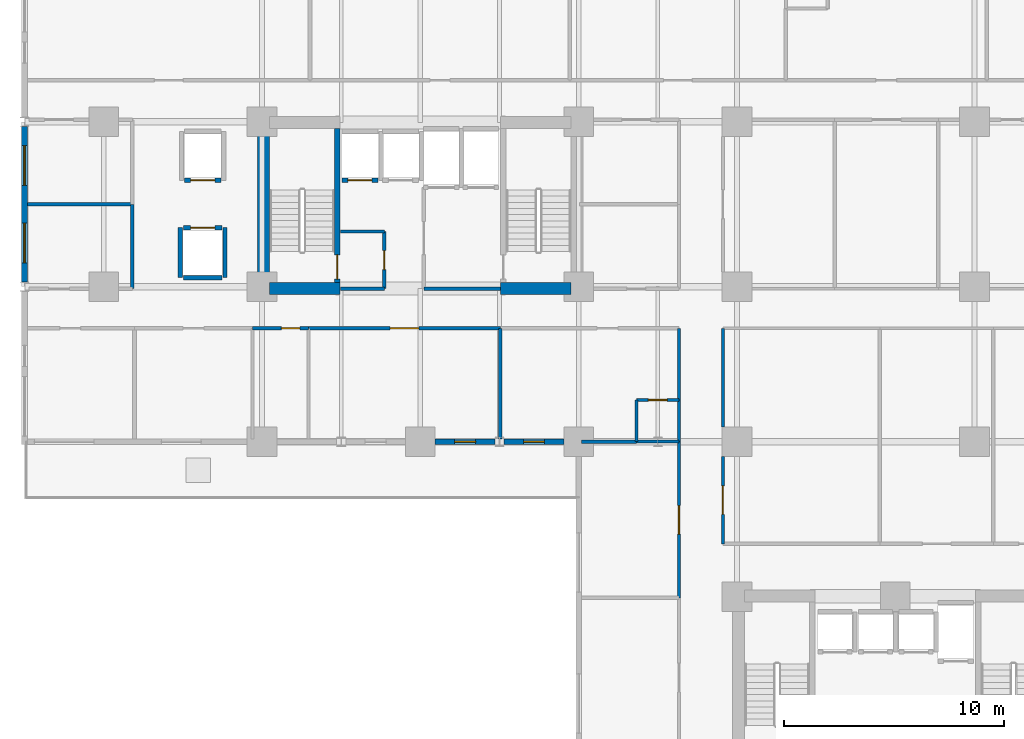
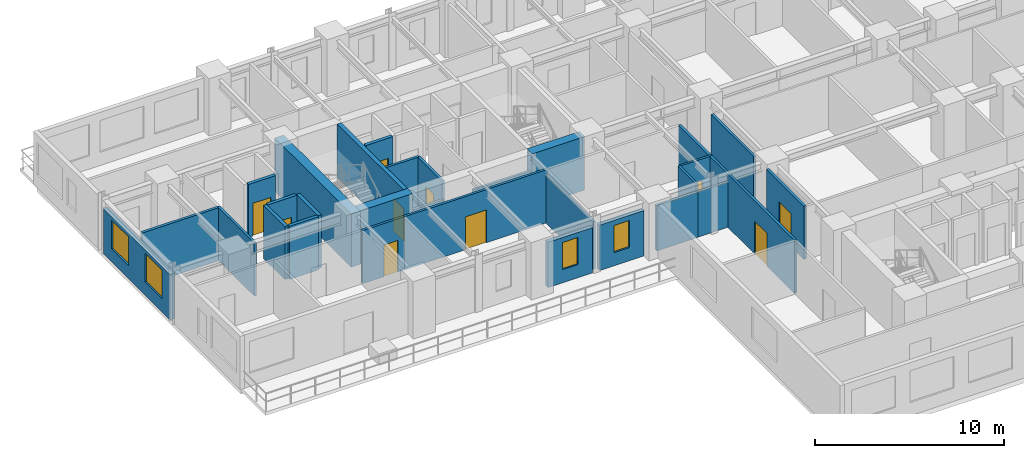
# One storey, part 3 of 11: 31 walls, 10 doors, 4 windows, 14 openings.
"""IFC4 building model written with IfcOpenShell, lengths in metres."""

from ifc_helpers import new_model, si_unit, direction, frame, frame_2d, origin, place, context, subcontext, project, spatial, rectangle, extrude, material, layer, layer_set, type_object, element, fill, save


model = new_model("IFC4")

# Units and contexts
model_context = context("Model", 3, precision=1e-05, world=origin(), true_north=direction((0.0, 1.0)))
body_context = subcontext(model_context, "Body", "Model", "MODEL_VIEW")
ifc_project = project(units=[si_unit("LENGTHUNIT", "METRE"), si_unit("AREAUNIT", "SQUARE_METRE"), si_unit("VOLUMEUNIT", "CUBIC_METRE"), si_unit("PLANEANGLEUNIT", "RADIAN"), si_unit("MASSUNIT", "GRAM", prefix="KILO")], contexts=[model_context])

# Site, building, storey
site_placement = place(None, origin())
site = spatial("IfcSite", under=ifc_project, at=site_placement, CompositionType="ELEMENT")
building_placement = place(site_placement, origin())
building = spatial("IfcBuilding", under=site, at=building_placement, Name="Kaliganga Portal Commons", CompositionType="ELEMENT")
storey_placement = place(building_placement, frame((0.0, 0.0, 25.300048828125)))
storey = spatial("IfcBuildingStorey", under=building, at=storey_placement, Name="L05", CompositionType="ELEMENT", Elevation=25.300048828125)

# Walls
ifc_material_1 = material(Name="Concrete C60/75", Category="concrete")
ifc_layer_1 = layer(ifc_material_1, 0.550048828125)
ifc_layer_set_1 = layer_set([ifc_layer_1], Name="Concrete C60/75")
wall_type_1 = type_object("IfcWallType", Name="WL-CORE-550", PredefinedType="SHEAR", material=ifc_layer_set_1)
wall_1_placement = place(storey_placement, frame((14.47509765625, 28.300048828125, 0.0), z_axis=(0.0, 0.0, 1.0), x_axis=(0.0, 1.0, 0.0)))
element("IfcWall", 1, at=wall_1_placement, inside=storey, type_object=wall_type_1, Name="Core A West Shear Wall L05", PredefinedType="SHEAR", context=body_context, shape_type="SweptSolid", body=[
    extrude(rectangle(XDim=8.099853515625, YDim=0.550048828125, at=frame_2d((4.0498046875, 0.0))), origin(), (0.0, 0.0, 1.0), 3.449951171875),
])
for number, where, z_axis, x_axis, name in (
    (2, (14.75, 28.574951171875, 0.0), (0.0, 0.0, 1.0), (1.0, 0.0, 0.0), "Core A S-West Shear Wall L05"),
    (3, (25.25, 28.574951171875, 0.0), (0.0, 0.0, 1.0), (1.0, 0.0, 0.0), "Core A S-East Shear Wall L05"),
):
    element("IfcWall", number, at=place(storey_placement, frame(where, z_axis=z_axis, x_axis=x_axis)), inside=storey, type_object=wall_type_1, Name=name, PredefinedType="SHEAR", context=body_context, shape_type="SweptSolid", body=[
        extrude(rectangle(XDim=3.199951171875, YDim=0.550048828125, at=frame_2d((1.60009765625, 0.0))), origin(), (0.0, 0.0, 1.0), 3.449951171875),
    ])

# Wall, openings, windows
ifc_material_2 = material(Name="Insulated Aluminium-Clad Spandrel Assembly", Category="aluminium")
ifc_layer_2 = layer(ifc_material_2, 0.260009765625)
ifc_layer_set_2 = layer_set([ifc_layer_2], Name="Insulated Aluminium-Clad Spandrel Assembly")
wall_type_2 = type_object("IfcWallType", Name="WL-EXT-SPAND-260", PredefinedType="STANDARD", material=ifc_layer_set_2)
wall_2_placement = place(storey_placement, frame((3.60009765625, 28.8740234375, 0.0), z_axis=(0.0, 0.0, 1.0), x_axis=(0.0, 1.0, 0.0)))
wall_2 = element("IfcWall", 4, at=wall_2_placement, inside=storey, type_object=wall_type_2, Name="Exterior Envelope Wall L05 P1-E03-S2", PredefinedType="STANDARD", context=body_context, shape_type="SweptSolid", body=[
    extrude(rectangle(XDim=7.052001953125, YDim=0.260009765625, at=frame_2d((3.52587890625, 0.0))), origin(), (0.0, 0.0, 1.0), 2.929931640625),
])
opening_1_placement = place(wall_2_placement, frame((0.863037109375, 0.0, 0.85009765625)))
opening_1 = element("IfcOpeningElement", 5, at=opening_1_placement, cuts=wall_2, Name="Opening W-01", PredefinedType="OPENING", context=body_context, shape_type="SweptSolid", body=[
    extrude(rectangle(XDim=1.800048828125, YDim=1.85009765625, at=frame_2d((0.89990234375, 0.925048828125))), frame((0.0, 0.14013671875, 0.0), z_axis=(0.0, -1.0, 0.0), x_axis=(1.0, 0.0, 0.0)), (0.0, 0.0, 1.0), 0.280029296875),
])
opening_2_placement = place(wall_2_placement, frame((4.388916015625, 0.0, 0.85009765625)))
opening_2 = element("IfcOpeningElement", 6, at=opening_2_placement, cuts=wall_2, Name="Opening W-01", PredefinedType="OPENING", context=body_context, shape_type="SweptSolid", body=[
    extrude(rectangle(XDim=1.800048828125, YDim=1.85009765625, at=frame_2d((0.89990234375, 0.925048828125))), frame((0.0, 0.14013671875, 0.0), z_axis=(0.0, -1.0, 0.0), x_axis=(1.0, 0.0, 0.0)), (0.0, 0.0, 1.0), 0.280029296875),
])
ifc_material_3 = material(Name="Thermally Broken Aluminium and Low-E Double Glazing", Category="aluminium")
window_type_1 = type_object("IfcWindowType", Name="WIN-STD-1800", PartitioningType="DOUBLE_PANEL_VERTICAL", PredefinedType="WINDOW", material=ifc_material_3)
window_1_placement = place(opening_1_placement, origin())
window_1 = element("IfcWindow", 7, at=window_1_placement, inside=storey, type_object=window_type_1, Name="Facade Window L05-P1E03S2-00", OverallHeight=1.85009765625, OverallWidth=1.800048828125, PartitioningType="SINGLE_PANEL", PredefinedType="WINDOW", context=body_context, shape_type="SweptSolid", body=[
    extrude(rectangle(XDim=1.800048828125, YDim=1.85009765625, at=frame_2d((0.89990234375, 0.925048828125))), frame((0.0, 0.030029296875, 0.0), z_axis=(0.0, -1.0, 0.0), x_axis=(1.0, 0.0, 0.0)), (0.0, 0.0, 1.0), 0.06005859375),
])
fill(opening_1, window_1)
window_2_placement = place(opening_2_placement, origin())
window_2 = element("IfcWindow", 8, at=window_2_placement, inside=storey, type_object=window_type_1, Name="Facade Window L05-P1E03S2-01", OverallHeight=1.85009765625, OverallWidth=1.800048828125, PartitioningType="SINGLE_PANEL", PredefinedType="WINDOW", context=body_context, shape_type="SweptSolid", body=[
    extrude(rectangle(XDim=1.800048828125, YDim=1.85009765625, at=frame_2d((0.89990234375, 0.925048828125))), frame((0.0, 0.030029296875, 0.0), z_axis=(0.0, -1.0, 0.0), x_axis=(1.0, 0.0, 0.0)), (0.0, 0.0, 1.0), 0.06005859375),
])
fill(opening_2, window_2)

# Wall, opening, window
wall_3_placement = place(storey_placement, frame((24.990966796875, 21.60009765625, 0.0), z_axis=(0.0, 0.0, 1.0), x_axis=(-1.0, 0.0, 0.0)))
wall_3 = element("IfcWall", 9, at=wall_3_placement, inside=storey, type_object=wall_type_2, Name="Exterior Envelope Wall L05 P1-E04-S4", PredefinedType="STANDARD", context=body_context, shape_type="SweptSolid", body=[
    extrude(rectangle(XDim=2.715087890625, YDim=0.260009765625, at=frame_2d((1.357421875, 0.0))), origin(), (0.0, 0.0, 1.0), 2.929931640625),
])
opening_3_placement = place(wall_3_placement, frame((0.882568359375, 0.0, 0.85009765625)))
opening_3 = element("IfcOpeningElement", 10, at=opening_3_placement, cuts=wall_3, Name="Opening W-04", PredefinedType="OPENING", context=body_context, shape_type="SweptSolid", body=[
    extrude(rectangle(XDim=0.949951171875, YDim=1.75, at=frame_2d((0.47509765625, 0.875))), frame((0.0, 0.14013671875, 0.0), z_axis=(0.0, -1.0, 0.0), x_axis=(1.0, 0.0, 0.0)), (0.0, 0.0, 1.0), 0.280029296875),
])
window_type_2 = type_object("IfcWindowType", Name="WIN-NARROW-950", PartitioningType="SINGLE_PANEL", PredefinedType="WINDOW", material=ifc_material_3)
window_3_placement = place(opening_3_placement, origin())
window_3 = element("IfcWindow", 11, at=window_3_placement, inside=storey, type_object=window_type_2, Name="Facade Window L05-P1E04S4-00", OverallHeight=1.75, OverallWidth=0.949951171875, PartitioningType="SINGLE_PANEL", PredefinedType="WINDOW", context=body_context, shape_type="SweptSolid", body=[
    extrude(rectangle(XDim=0.949951171875, YDim=1.75, at=frame_2d((0.47509765625, 0.875))), frame((0.0, 0.030029296875, 0.0), z_axis=(0.0, -1.0, 0.0), x_axis=(1.0, 0.0, 0.0)), (0.0, 0.0, 1.0), 0.06005859375),
])
fill(opening_3, window_3)

wall_4_placement = place(storey_placement, frame((28.1240234375, 21.60009765625, 0.0), z_axis=(0.0, 0.0, 1.0), x_axis=(-1.0, 0.0, 0.0)))
wall_4 = element("IfcWall", 12, at=wall_4_placement, inside=storey, type_object=wall_type_2, Name="Exterior Envelope Wall L05 P1-E04-S5", PredefinedType="STANDARD", context=body_context, shape_type="SweptSolid", body=[
    extrude(rectangle(XDim=2.715087890625, YDim=0.260009765625, at=frame_2d((1.357421875, 0.0))), origin(), (0.0, 0.0, 1.0), 2.929931640625),
])
opening_4_placement = place(wall_4_placement, frame((0.882568359375, 0.0, 0.85009765625)))
opening_4 = element("IfcOpeningElement", 13, at=opening_4_placement, cuts=wall_4, Name="Opening W-04", PredefinedType="OPENING", context=body_context, shape_type="SweptSolid", body=[
    extrude(rectangle(XDim=0.949951171875, YDim=1.75, at=frame_2d((0.47509765625, 0.875))), frame((0.0, 0.14013671875, 0.0), z_axis=(0.0, -1.0, 0.0), x_axis=(1.0, 0.0, 0.0)), (0.0, 0.0, 1.0), 0.280029296875),
])
window_4_placement = place(opening_4_placement, origin())
window_4 = element("IfcWindow", 14, at=window_4_placement, inside=storey, type_object=window_type_2, Name="Facade Window L05-P1E04S5-00", OverallHeight=1.75, OverallWidth=0.949951171875, PartitioningType="SINGLE_PANEL", PredefinedType="WINDOW", context=body_context, shape_type="SweptSolid", body=[
    extrude(rectangle(XDim=0.949951171875, YDim=1.75, at=frame_2d((0.47509765625, 0.875))), frame((0.0, 0.030029296875, 0.0), z_axis=(0.0, -1.0, 0.0), x_axis=(1.0, 0.0, 0.0)), (0.0, 0.0, 1.0), 0.06005859375),
])
fill(opening_4, window_4)

# Wall
ifc_material_4 = material(Name="Fire-Rated Gypsum Board on Steel Stud", Category="steel")
ifc_layer_3 = layer(ifc_material_4, 0.14990234375)
ifc_layer_set_3 = layer_set([ifc_layer_3], Name="Fire-Rated Gypsum Board on Steel Stud")
wall_type_3 = type_object("IfcWallType", Name="WL-PART-CORR-150", PredefinedType="PARTITIONING", material=ifc_layer_set_3)
wall_5_placement = place(storey_placement, frame((33.360107421875, 21.60009765625, 0.0), z_axis=(0.0, 0.0, 1.0), x_axis=(0.0, 1.0, 0.0)))
element("IfcWall", 15, at=wall_5_placement, inside=storey, type_object=wall_type_3, Name="Interior Partition L05-007", PredefinedType="PARTITIONING", context=body_context, shape_type="SweptSolid", body=[
    extrude(rectangle(XDim=1.89990234375, YDim=0.14990234375, at=frame_2d((0.949951171875, 0.0))), origin(), (0.0, 0.0, 1.0), 3.429931640625),
])

# Wall, opening, door
wall_6_placement = place(storey_placement, frame((35.360107421875, 16.9599609375, 0.0), z_axis=(0.0, 0.0, 1.0), x_axis=(0.0, 1.0, 0.0)))
wall_6 = element("IfcWall", 16, at=wall_6_placement, inside=storey, type_object=wall_type_3, Name="Interior Partition L05-012", PredefinedType="PARTITIONING", context=body_context, shape_type="SweptSolid", body=[
    extrude(rectangle(XDim=3.965087890625, YDim=0.14990234375, at=frame_2d((1.982421875, 0.0))), origin(), (0.0, 0.0, 1.0), 3.429931640625),
])
opening_5_placement = place(wall_6_placement, frame((1.33251953125, 0.0, 0.0)))
opening_5 = element("IfcOpeningElement", 17, at=opening_5_placement, cuts=wall_6, Name="Opening RD-03", PredefinedType="OPENING", context=body_context, shape_type="SweptSolid", body=[
    extrude(rectangle(XDim=1.300048828125, YDim=2.1201171875, at=frame_2d((0.64990234375, 1.06005859375))), frame((0.0, 0.0849609375, 0.0), z_axis=(0.0, -1.0, 0.0), x_axis=(1.0, 0.0, 0.0)), (0.0, 0.0, 1.0), 0.169921875),
])
ifc_material_5 = material(Name="Glazed Timber Seminar Vision Door", Category="wood")
door_type_1 = type_object("IfcDoorType", Name="DR-STUDY-1300", OperationType="DOUBLE_DOOR_SINGLE_SWING", PredefinedType="DOOR", material=ifc_material_5)
door_1_placement = place(opening_5_placement, origin())
door_1 = element("IfcDoor", 18, at=door_1_placement, inside=storey, type_object=door_type_1, Name="Interior Door L05-BM01", OperationType="DOUBLE_DOOR_SINGLE_SWING", OverallHeight=2.1201171875, OverallWidth=1.300048828125, PredefinedType="DOOR", context=body_context, shape_type="SweptSolid", body=[
    extrude(rectangle(XDim=1.300048828125, YDim=2.1201171875, at=frame_2d((0.64990234375, 1.06005859375))), frame((0.0, 0.02490234375, 0.0), z_axis=(0.0, -1.0, 0.0), x_axis=(1.0, 0.0, 0.0)), (0.0, 0.0, 1.0), 0.050048828125),
])
fill(opening_5, door_1)

# Wall
wall_7_placement = place(storey_placement, frame((35.360107421875, 22.27490234375, 0.0), z_axis=(0.0, 0.0, 1.0), x_axis=(0.0, 1.0, 0.0)))
element("IfcWall", 19, at=wall_7_placement, inside=storey, type_object=wall_type_3, Name="Interior Partition L05-013", PredefinedType="PARTITIONING", context=body_context, shape_type="SweptSolid", body=[
    extrude(rectangle(XDim=4.485107421875, YDim=0.14990234375, at=frame_2d((2.24267578125, 0.0))), origin(), (0.0, 0.0, 1.0), 3.429931640625),
])

# Wall, opening, door
wall_8_placement = place(storey_placement, frame((16.52001953125, 26.760009765625, 0.0), z_axis=(0.0, 0.0, 1.0), x_axis=(1.0, 0.0, 0.0)))
wall_8 = element("IfcWall", 20, at=wall_8_placement, inside=storey, type_object=wall_type_3, Name="Interior Partition L05-016", PredefinedType="PARTITIONING", context=body_context, shape_type="SweptSolid", body=[
    extrude(rectangle(XDim=8.719970703125, YDim=0.14990234375, at=frame_2d((4.35986328125, 0.0))), origin(), (0.0, 0.0, 1.0), 3.429931640625),
])
opening_6_placement = place(wall_8_placement, frame((3.7099609375, 0.0, 0.0)))
opening_6 = element("IfcOpeningElement", 21, at=opening_6_placement, cuts=wall_8, Name="Opening RD-03", PredefinedType="OPENING", context=body_context, shape_type="SweptSolid", body=[
    extrude(rectangle(XDim=1.300048828125, YDim=2.1201171875, at=frame_2d((0.64990234375, 1.06005859375))), frame((0.0, 0.0849609375, 0.0), z_axis=(0.0, -1.0, 0.0), x_axis=(1.0, 0.0, 0.0)), (0.0, 0.0, 1.0), 0.169921875),
])
door_2_placement = place(opening_6_placement, origin())
door_2 = element("IfcDoor", 22, at=door_2_placement, inside=storey, type_object=door_type_1, Name="Interior Door L05-AS04", OperationType="DOUBLE_DOOR_SINGLE_SWING", OverallHeight=2.1201171875, OverallWidth=1.300048828125, PredefinedType="DOOR", context=body_context, shape_type="SweptSolid", body=[
    extrude(rectangle(XDim=1.300048828125, YDim=2.1201171875, at=frame_2d((0.64990234375, 1.06005859375))), frame((0.0, 0.02490234375, 0.0), z_axis=(0.0, -1.0, 0.0), x_axis=(1.0, 0.0, 0.0)), (0.0, 0.0, 1.0), 0.050048828125),
])
fill(opening_6, door_2)

wall_9_placement = place(storey_placement, frame((33.360107421875, 14.5, 0.0), z_axis=(0.0, 0.0, 1.0), x_axis=(0.0, 1.0, 0.0)))
wall_9 = element("IfcWall", 23, at=wall_9_placement, inside=storey, type_object=wall_type_3, Name="Interior Partition L05-024", PredefinedType="PARTITIONING", context=body_context, shape_type="SweptSolid", body=[
    extrude(rectangle(XDim=7.10009765625, YDim=0.14990234375, at=frame_2d((3.550048828125, 0.0))), origin(), (0.0, 0.0, 1.0), 3.429931640625),
])
opening_7_placement = place(wall_9_placement, frame((2.89990234375, 0.0, 0.0)))
opening_7 = element("IfcOpeningElement", 24, at=opening_7_placement, cuts=wall_9, Name="Opening RD-03", PredefinedType="OPENING", context=body_context, shape_type="SweptSolid", body=[
    extrude(rectangle(XDim=1.300048828125, YDim=2.1201171875, at=frame_2d((0.64990234375, 1.06005859375))), frame((0.0, 0.0849609375, 0.0), z_axis=(0.0, -1.0, 0.0), x_axis=(1.0, 0.0, 0.0)), (0.0, 0.0, 1.0), 0.169921875),
])
door_3_placement = place(opening_7_placement, origin())
door_3 = element("IfcDoor", 25, at=door_3_placement, inside=storey, type_object=door_type_1, Name="Interior Door L05-KW02", OperationType="DOUBLE_DOOR_SINGLE_SWING", OverallHeight=2.1201171875, OverallWidth=1.300048828125, PredefinedType="DOOR", context=body_context, shape_type="SweptSolid", body=[
    extrude(rectangle(XDim=1.300048828125, YDim=2.1201171875, at=frame_2d((0.64990234375, 1.06005859375))), frame((0.0, 0.02490234375, 0.0), z_axis=(0.0, -1.0, 0.0), x_axis=(1.0, 0.0, 0.0)), (0.0, 0.0, 1.0), 0.050048828125),
])
fill(opening_7, door_3)

# Walls
wall_10_placement = place(storey_placement, frame((8.5, 28.56005859375, 0.0), z_axis=(0.0, 0.0, 1.0), x_axis=(0.0, 1.0, 0.0)))
element("IfcWall", 26, at=wall_10_placement, inside=storey, type_object=wall_type_3, Name="Interior Partition L05-047", PredefinedType="PARTITIONING", context=body_context, shape_type="SweptSolid", body=[
    extrude(rectangle(XDim=3.83984375, YDim=0.14990234375, at=frame_2d((1.919921875, 0.0))), origin(), (0.0, 0.0, 1.0), 3.429931640625),
])
wall_11_placement = place(storey_placement, frame((33.360107421875, 23.5, 0.0), z_axis=(0.0, 0.0, 1.0), x_axis=(0.0, 1.0, 0.0)))
element("IfcWall", 27, at=wall_11_placement, inside=storey, type_object=wall_type_3, Name="Interior Partition L05-050", PredefinedType="PARTITIONING", context=body_context, shape_type="SweptSolid", body=[
    extrude(rectangle(XDim=3.260009765625, YDim=0.14990234375, at=frame_2d((1.6298828125, 0.0))), origin(), (0.0, 0.0, 1.0), 3.429931640625),
])

# Wall, opening, door
wall_12_placement = place(storey_placement, frame((19.9599609375, 28.56005859375, 0.0), z_axis=(0.0, 0.0, 1.0), x_axis=(0.0, 1.0, 0.0)))
wall_12 = element("IfcWall", 28, at=wall_12_placement, inside=storey, type_object=wall_type_3, Name="Interior Partition L05-051", PredefinedType="PARTITIONING", context=body_context, shape_type="SweptSolid", body=[
    extrude(rectangle(XDim=2.599853515625, YDim=0.14990234375, at=frame_2d((1.2998046875, 0.0))), origin(), (0.0, 0.0, 1.0), 3.429931640625),
])
opening_8_placement = place(wall_12_placement, frame((0.8701171875, 0.0, 0.0)))
opening_8 = element("IfcOpeningElement", 29, at=opening_8_placement, cuts=wall_12, Name="Opening WD-02", PredefinedType="OPENING", context=body_context, shape_type="SweptSolid", body=[
    extrude(rectangle(XDim=0.860107421875, YDim=2.02001953125, at=frame_2d((0.43017578125, 1.010009765625))), frame((0.0, 0.0849609375, 0.0), z_axis=(0.0, -1.0, 0.0), x_axis=(1.0, 0.0, 0.0)), (0.0, 0.0, 1.0), 0.169921875),
])
ifc_material_6 = material(Name="Fire-Rated Utility Closet Door", Category="wood")
door_type_2 = type_object("IfcDoorType", Name="DR-STORE-800", OperationType="NOTDEFINED", PredefinedType="DOOR", material=ifc_material_6)
door_4_placement = place(opening_8_placement, origin())
door_4 = element("IfcDoor", 30, at=door_4_placement, inside=storey, type_object=door_type_2, Name="Interior Door L05-CIN_A1", OperationType="SINGLE_SWING_LEFT", OverallHeight=2.02001953125, OverallWidth=0.860107421875, PredefinedType="DOOR", context=body_context, shape_type="SweptSolid", body=[
    extrude(rectangle(XDim=0.860107421875, YDim=2.02001953125, at=frame_2d((0.43017578125, 1.010009765625))), frame((0.0, 0.02490234375, 0.0), z_axis=(0.0, -1.0, 0.0), x_axis=(1.0, 0.0, 0.0)), (0.0, 0.0, 1.0), 0.050048828125),
])
fill(opening_8, door_4)

wall_13_placement = place(storey_placement, frame((13.9599609375, 26.760009765625, 0.0), z_axis=(0.0, 0.0, 1.0), x_axis=(1.0, 0.0, 0.0)))
wall_13 = element("IfcWall", 31, at=wall_13_placement, inside=storey, type_object=wall_type_3, Name="Interior Partition L05-052", PredefinedType="PARTITIONING", context=body_context, shape_type="SweptSolid", body=[
    extrude(rectangle(XDim=2.56005859375, YDim=0.14990234375, at=frame_2d((1.280029296875, 0.0))), origin(), (0.0, 0.0, 1.0), 3.429931640625),
])
opening_9_placement = place(wall_13_placement, frame((1.31591796875, 0.0, 0.0)))
opening_9 = element("IfcOpeningElement", 32, at=opening_9_placement, cuts=wall_13, Name="Opening WD-01", PredefinedType="OPENING", context=body_context, shape_type="SweptSolid", body=[
    extrude(rectangle(XDim=0.85009765625, YDim=2.0400390625, at=frame_2d((0.425048828125, 1.02001953125))), frame((0.0, 0.0849609375, 0.0), z_axis=(0.0, -1.0, 0.0), x_axis=(1.0, 0.0, 0.0)), (0.0, 0.0, 1.0), 0.169921875),
])
ifc_material_7 = material(Name="Moisture-Resistant Laminate Timber Door", Category="wood")
door_type_3 = type_object("IfcDoorType", Name="DR-WET-850", OperationType="NOTDEFINED", PredefinedType="DOOR", material=ifc_material_7)
door_5_placement = place(opening_9_placement, origin())
door_5 = element("IfcDoor", 33, at=door_5_placement, inside=storey, type_object=door_type_3, Name="Interior Door L05-AS03", OperationType="SINGLE_SWING_RIGHT", OverallHeight=2.0400390625, OverallWidth=0.85009765625, PredefinedType="DOOR", context=body_context, shape_type="SweptSolid", body=[
    extrude(rectangle(XDim=0.85009765625, YDim=2.0400390625, at=frame_2d((0.425048828125, 1.02001953125))), frame((0.0, 0.02490234375, 0.0), z_axis=(0.0, -1.0, 0.0), x_axis=(1.0, 0.0, 0.0)), (0.0, 0.0, 1.0), 0.050048828125),
])
fill(opening_9, door_5)

# Walls
wall_14_placement = place(storey_placement, frame((17.9599609375, 28.56005859375, 0.0), z_axis=(0.0, 0.0, 1.0), x_axis=(1.0, 0.0, 0.0)))
element("IfcWall", 34, at=wall_14_placement, inside=storey, type_object=wall_type_3, Name="Interior Partition L05-054", PredefinedType="PARTITIONING", context=body_context, shape_type="SweptSolid", body=[
    extrude(rectangle(XDim=2.0, YDim=0.14990234375, at=frame_2d((1.0, 0.0))), origin(), (0.0, 0.0, 1.0), 2.22998046875),
])
wall_15_placement = place(storey_placement, frame((17.9599609375, 31.159912109375, 0.0), z_axis=(0.0, 0.0, 1.0), x_axis=(1.0, 0.0, 0.0)))
element("IfcWall", 35, at=wall_15_placement, inside=storey, type_object=wall_type_3, Name="Interior Partition L05-055", PredefinedType="PARTITIONING", context=body_context, shape_type="SweptSolid", body=[
    extrude(rectangle(XDim=2.0, YDim=0.14990234375, at=frame_2d((1.0, 0.0))), origin(), (0.0, 0.0, 1.0), 3.429931640625),
])
wall_16_placement = place(storey_placement, frame((21.760009765625, 28.56005859375, 0.0), z_axis=(0.0, 0.0, 1.0), x_axis=(1.0, 0.0, 0.0)))
element("IfcWall", 36, at=wall_16_placement, inside=storey, type_object=wall_type_3, Name="Interior Partition L05-086", PredefinedType="PARTITIONING", context=body_context, shape_type="SweptSolid", body=[
    extrude(rectangle(XDim=3.47998046875, YDim=0.14990234375, at=frame_2d((1.739990234375, 0.0))), origin(), (0.0, 0.0, 1.0), 2.22998046875),
])
ifc_material_8 = material(Name="Twin-Stud Acoustic Gypsum Partition", Category="gypsum")
ifc_layer_4 = layer(ifc_material_8, 0.1650390625)
ifc_layer_set_4 = layer_set([ifc_layer_4], Name="Twin-Stud Acoustic Gypsum Partition")
wall_type_4 = type_object("IfcWallType", Name="WL-PART-UNIT-165", PredefinedType="PARTITIONING", material=ifc_layer_set_4)
wall_17_placement = place(storey_placement, frame((25.239990234375, 21.73193359375, 0.0), z_axis=(0.0, 0.0, 1.0), x_axis=(0.0, 1.0, 0.0)))
element("IfcWall", 37, at=wall_17_placement, inside=storey, type_object=wall_type_4, Name="Interior Partition L05-074", PredefinedType="PARTITIONING", context=body_context, shape_type="SweptSolid", body=[
    extrude(rectangle(XDim=5.028076171875, YDim=0.1650390625, at=frame_2d((2.51416015625, 0.0))), origin(), (0.0, 0.0, 1.0), 3.070068359375),
])
wall_18_placement = place(storey_placement, frame((3.73193359375, 32.39990234375, 0.0), z_axis=(0.0, 0.0, 1.0), x_axis=(1.0, 0.0, 0.0)))
element("IfcWall", 38, at=wall_18_placement, inside=storey, type_object=wall_type_4, Name="Interior Partition L05-077", PredefinedType="PARTITIONING", context=body_context, shape_type="SweptSolid", body=[
    extrude(rectangle(XDim=4.76806640625, YDim=0.1650390625, at=frame_2d((2.384033203125, 0.0))), origin(), (0.0, 0.0, 1.0), 3.429931640625),
])
wall_19_placement = place(storey_placement, frame((28.931884765625, 21.60009765625, 0.0), z_axis=(0.0, 0.0, 1.0), x_axis=(1.0, 0.0, 0.0)))
element("IfcWall", 39, at=wall_19_placement, inside=storey, type_object=wall_type_4, Name="Interior Partition L05-090", PredefinedType="PARTITIONING", context=body_context, shape_type="SweptSolid", body=[
    extrude(rectangle(XDim=2.508056640625, YDim=0.1650390625, at=frame_2d((1.25390625, 0.0))), origin(), (0.0, 0.0, 1.0), 2.929931640625),
])
ifc_material_9 = material(Name="Cement-Board Wet-Room Partition", Category="gypsum")
ifc_layer_5 = layer(ifc_material_9, 0.135009765625)
ifc_layer_set_5 = layer_set([ifc_layer_5], Name="Cement-Board Wet-Room Partition")
wall_type_5 = type_object("IfcWallType", Name="WL-PART-WET-135", PredefinedType="PARTITIONING", material=ifc_layer_set_5)
wall_20_placement = place(storey_placement, frame((31.43994140625, 21.60009765625, 0.0), z_axis=(0.0, 0.0, 1.0), x_axis=(1.0, 0.0, 0.0)))
element("IfcWall", 40, at=wall_20_placement, inside=storey, type_object=wall_type_5, Name="Interior Partition L05-001", PredefinedType="PARTITIONING", context=body_context, shape_type="SweptSolid", body=[
    extrude(rectangle(XDim=1.920166015625, YDim=0.135009765625, at=frame_2d((0.9599609375, 0.0))), origin(), (0.0, 0.0, 1.0), 2.929931640625),
])

# Wall, opening, door
wall_21_placement = place(storey_placement, frame((31.43994140625, 23.5, 0.0), z_axis=(0.0, 0.0, 1.0), x_axis=(1.0, 0.0, 0.0)))
wall_21 = element("IfcWall", 41, at=wall_21_placement, inside=storey, type_object=wall_type_5, Name="Interior Partition L05-002", PredefinedType="PARTITIONING", context=body_context, shape_type="SweptSolid", body=[
    extrude(rectangle(XDim=1.920166015625, YDim=0.135009765625, at=frame_2d((0.9599609375, 0.0))), origin(), (0.0, 0.0, 1.0), 3.429931640625),
])
opening_10_placement = place(wall_21_placement, frame((0.534912109375, 0.0, 0.0)))
opening_10 = element("IfcOpeningElement", 42, at=opening_10_placement, cuts=wall_21, Name="Opening WD-01", PredefinedType="OPENING", context=body_context, shape_type="SweptSolid", body=[
    extrude(rectangle(XDim=0.85009765625, YDim=2.0400390625, at=frame_2d((0.425048828125, 1.02001953125))), frame((0.0, 0.07763671875, 0.0), z_axis=(0.0, -1.0, 0.0), x_axis=(1.0, 0.0, 0.0)), (0.0, 0.0, 1.0), 0.155029296875),
])
door_6_placement = place(opening_10_placement, origin())
door_6 = element("IfcDoor", 43, at=door_6_placement, inside=storey, type_object=door_type_3, Name="Interior Door L05-AS05E", OperationType="SINGLE_SWING_LEFT", OverallHeight=2.0400390625, OverallWidth=0.85009765625, PredefinedType="DOOR", context=body_context, shape_type="SweptSolid", body=[
    extrude(rectangle(XDim=0.85009765625, YDim=2.0400390625, at=frame_2d((0.425048828125, 1.02001953125))), frame((0.0, 0.02490234375, 0.0), z_axis=(0.0, -1.0, 0.0), x_axis=(1.0, 0.0, 0.0)), (0.0, 0.0, 1.0), 0.050048828125),
])
fill(opening_10, door_6)

# Wall
wall_22_placement = place(storey_placement, frame((31.43994140625, 21.60009765625, 0.0), z_axis=(0.0, 0.0, 1.0), x_axis=(0.0, 1.0, 0.0)))
element("IfcWall", 44, at=wall_22_placement, inside=storey, type_object=wall_type_5, Name="Interior Partition L05-006", PredefinedType="PARTITIONING", context=body_context, shape_type="SweptSolid", body=[
    extrude(rectangle(XDim=1.89990234375, YDim=0.135009765625, at=frame_2d((0.949951171875, 0.0))), origin(), (0.0, 0.0, 1.0), 3.429931640625),
])

# Wall, opening, door
ifc_material_10 = material(Name="Fire-Rated Shaftwall Masonry Assembly", Category="masonry")
ifc_layer_6 = layer(ifc_material_10, 0.199951171875)
ifc_layer_set_6 = layer_set([ifc_layer_6], Name="Fire-Rated Shaftwall Masonry Assembly")
wall_type_6 = type_object("IfcWallType", Name="WL-SHAFT-200", PredefinedType="PARTITIONING", material=ifc_layer_set_6)
wall_23_placement = place(storey_placement, frame((18.02490234375, 33.485107421875, 0.0), z_axis=(0.0, 0.0, 1.0), x_axis=(1.0, 0.0, 0.0)))
wall_23 = element("IfcWall", 45, at=wall_23_placement, inside=storey, type_object=wall_type_6, Name="Lift PL-A1 Hoistway Shaft Wall L05-S", PredefinedType="PARTITIONING", context=body_context, shape_type="SweptSolid", body=[
    extrude(rectangle(XDim=1.650146484375, YDim=0.199951171875, at=frame_2d((0.8251953125, 0.0))), origin(), (0.0, 0.0, 1.0), 3.429931640625),
])
opening_11_placement = place(wall_23_placement, frame((0.27490234375, 0.0, 0.0)))
opening_11 = element("IfcOpeningElement", 46, at=opening_11_placement, cuts=wall_23, Name="Opening LD-01", PredefinedType="OPENING", context=body_context, shape_type="SweptSolid", body=[
    extrude(rectangle(XDim=1.10009765625, YDim=2.1201171875, at=frame_2d((0.550048828125, 1.06005859375))), frame((0.0, 0.10986328125, 0.0), z_axis=(0.0, -1.0, 0.0), x_axis=(1.0, 0.0, 0.0)), (0.0, 0.0, 1.0), 0.219970703125),
])
ifc_material_11 = material(Name="Brushed Stainless Steel 316 Lift Landing Door", Category="steel")
door_type_4 = type_object("IfcDoorType", Name="DR-LIFT-1100", OperationType="SLIDING_TO_LEFT", PredefinedType="DOOR", material=ifc_material_11)
door_7_placement = place(opening_11_placement, origin())
door_7 = element("IfcDoor", 47, at=door_7_placement, inside=storey, type_object=door_type_4, Name="Lift PL-A1 Sliding Landing Door L05", OperationType="SLIDING_TO_LEFT", OverallHeight=2.1201171875, OverallWidth=1.10009765625, PredefinedType="DOOR", context=body_context, shape_type="SweptSolid", body=[
    extrude(rectangle(XDim=1.10009765625, YDim=2.1201171875, at=frame_2d((0.550048828125, 1.06005859375))), frame((0.0, 0.02490234375, 0.0), z_axis=(0.0, -1.0, 0.0), x_axis=(1.0, 0.0, 0.0)), (0.0, 0.0, 1.0), 0.050048828125),
])
fill(opening_11, door_7)

# Wall
wall_24_placement = place(storey_placement, frame((10.824951171875, 29.06005859375, 0.0), z_axis=(0.0, 0.0, 1.0), x_axis=(1.0, 0.0, 0.0)))
element("IfcWall", 48, at=wall_24_placement, inside=storey, type_object=wall_type_6, Name="Lift SH-1 Hoistway Shaft Wall L05-S", PredefinedType="PARTITIONING", context=body_context, shape_type="SweptSolid", body=[
    extrude(rectangle(XDim=1.75, YDim=0.199951171875, at=frame_2d((0.875, 0.0))), origin(), (0.0, 0.0, 1.0), 3.429931640625),
])

# Wall, opening, door
wall_25_placement = place(storey_placement, frame((10.824951171875, 31.340087890625, 0.0), z_axis=(0.0, 0.0, 1.0), x_axis=(1.0, 0.0, 0.0)))
wall_25 = element("IfcWall", 49, at=wall_25_placement, inside=storey, type_object=wall_type_6, Name="Lift SH-1 Hoistway Shaft Wall L05-N", PredefinedType="PARTITIONING", context=body_context, shape_type="SweptSolid", body=[
    extrude(rectangle(XDim=1.75, YDim=0.199951171875, at=frame_2d((0.875, 0.0))), origin(), (0.0, 0.0, 1.0), 3.429931640625),
])
opening_12_placement = place(wall_25_placement, frame((0.324951171875, 0.0, 0.0)))
opening_12 = element("IfcOpeningElement", 50, at=opening_12_placement, cuts=wall_25, Name="Opening LD-01", PredefinedType="OPENING", context=body_context, shape_type="SweptSolid", body=[
    extrude(rectangle(XDim=1.10009765625, YDim=2.1201171875, at=frame_2d((0.550048828125, 1.06005859375))), frame((0.0, 0.10986328125, 0.0), z_axis=(0.0, -1.0, 0.0), x_axis=(1.0, 0.0, 0.0)), (0.0, 0.0, 1.0), 0.219970703125),
])
door_8_placement = place(opening_12_placement, origin())
door_8 = element("IfcDoor", 51, at=door_8_placement, inside=storey, type_object=door_type_4, Name="Lift SH-1 Sliding Landing Door L05", OperationType="SLIDING_TO_LEFT", OverallHeight=2.1201171875, OverallWidth=1.10009765625, PredefinedType="DOOR", context=body_context, shape_type="SweptSolid", body=[
    extrude(rectangle(XDim=1.10009765625, YDim=2.1201171875, at=frame_2d((0.550048828125, 1.06005859375))), frame((0.0, 0.02490234375, 0.0), z_axis=(0.0, -1.0, 0.0), x_axis=(1.0, 0.0, 0.0)), (0.0, 0.0, 1.0), 0.050048828125),
])
fill(opening_12, door_8)

# Walls
for number, where, z_axis, x_axis, name in (
    (52, (10.68505859375, 29.06005859375, 0.0), (0.0, 0.0, 1.0), (0.0, 1.0, 0.0), "Lift SH-1 Hoistway Shaft Wall L05-W"),
    (53, (12.715087890625, 29.06005859375, 0.0), (0.0, 0.0, 1.0), (0.0, 1.0, 0.0), "Lift SH-1 Hoistway Shaft Wall L05-E"),
):
    element("IfcWall", number, at=place(storey_placement, frame(where, z_axis=z_axis, x_axis=x_axis)), inside=storey, type_object=wall_type_6, Name=name, PredefinedType="PARTITIONING", context=body_context, shape_type="SweptSolid", body=[
        extrude(rectangle(XDim=2.280029296875, YDim=0.199951171875, at=frame_2d((1.14013671875, 0.0))), origin(), (0.0, 0.0, 1.0), 3.429931640625),
    ])

# Wall, opening, door
wall_26_placement = place(storey_placement, frame((10.875, 33.485107421875, 0.0), z_axis=(0.0, 0.0, 1.0), x_axis=(1.0, 0.0, 0.0)))
wall_26 = element("IfcWall", 54, at=wall_26_placement, inside=storey, type_object=wall_type_6, Name="Lift PL-OBS Hoistway Shaft Wall L05-S", PredefinedType="PARTITIONING", context=body_context, shape_type="SweptSolid", body=[
    extrude(rectangle(XDim=1.64990234375, YDim=0.199951171875, at=frame_2d((0.824951171875, 0.0))), origin(), (0.0, 0.0, 1.0), 3.429931640625),
])
opening_13_placement = place(wall_26_placement, frame((0.27490234375, 0.0, 0.0)))
opening_13 = element("IfcOpeningElement", 55, at=opening_13_placement, cuts=wall_26, Name="Opening LD-01", PredefinedType="OPENING", context=body_context, shape_type="SweptSolid", body=[
    extrude(rectangle(XDim=1.10009765625, YDim=2.1201171875, at=frame_2d((0.550048828125, 1.06005859375))), frame((0.0, 0.10986328125, 0.0), z_axis=(0.0, -1.0, 0.0), x_axis=(1.0, 0.0, 0.0)), (0.0, 0.0, 1.0), 0.219970703125),
])
door_9_placement = place(opening_13_placement, origin())
door_9 = element("IfcDoor", 56, at=door_9_placement, inside=storey, type_object=door_type_4, Name="Lift PL-OBS Sliding Landing Door L05", OperationType="SLIDING_TO_LEFT", OverallHeight=2.1201171875, OverallWidth=1.10009765625, PredefinedType="DOOR", context=body_context, shape_type="SweptSolid", body=[
    extrude(rectangle(XDim=1.10009765625, YDim=2.1201171875, at=frame_2d((0.550048828125, 1.06005859375))), frame((0.0, 0.02490234375, 0.0), z_axis=(0.0, -1.0, 0.0), x_axis=(1.0, 0.0, 0.0)), (0.0, 0.0, 1.0), 0.050048828125),
])
fill(opening_13, door_9)

ifc_material_12 = material(Name="Concrete C50/60", Category="concrete")
ifc_layer_7 = layer(ifc_material_12, 0.25)
ifc_layer_set_7 = layer_set([ifc_layer_7], Name="Concrete C50/60")
wall_type_7 = type_object("IfcWallType", Name="WL-STAIR-250", PredefinedType="SHEAR", material=ifc_layer_set_7)
wall_27_placement = place(storey_placement, frame((17.824951171875, 28.85009765625, 0.0), z_axis=(0.0, 0.0, 1.0), x_axis=(0.0, 1.0, 0.0)))
wall_27 = element("IfcWall", 57, at=wall_27_placement, inside=storey, type_object=wall_type_7, Name="Stair A1 Enclosure Shear Wall L05", PredefinedType="SHEAR", context=body_context, shape_type="SweptSolid", body=[
    extrude(rectangle(XDim=7.0, YDim=0.25, at=frame_2d((3.5, 0.0))), origin(), (0.0, 0.0, 1.0), 3.449951171875),
])
opening_14_placement = place(wall_27_placement, frame((0.14990234375, 0.0, 0.0)))
opening_14 = element("IfcOpeningElement", 58, at=opening_14_placement, cuts=wall_27, Name="Opening SD-01", PredefinedType="OPENING", context=body_context, shape_type="SweptSolid", body=[
    extrude(rectangle(XDim=1.10009765625, YDim=2.080078125, at=frame_2d((0.550048828125, 1.0400390625))), frame((0.0, 0.135009765625, 0.0), z_axis=(0.0, -1.0, 0.0), x_axis=(1.0, 0.0, 0.0)), (0.0, 0.0, 1.0), 0.27001953125),
])
ifc_material_13 = material(Name="Galvanized Steel Fire Door Leaf and Frame", Category="steel")
door_type_5 = type_object("IfcDoorType", Name="DR-STAIR-1100", OperationType="NOTDEFINED", PredefinedType="DOOR", material=ifc_material_13)
door_10_placement = place(opening_14_placement, origin())
door_10 = element("IfcDoor", 59, at=door_10_placement, inside=storey, type_object=door_type_5, Name="Protected Stair ST-A1 Fire Door L05", OperationType="SINGLE_SWING_LEFT", OverallHeight=2.080078125, OverallWidth=1.10009765625, PredefinedType="DOOR", context=body_context, shape_type="SweptSolid", body=[
    extrude(rectangle(XDim=1.10009765625, YDim=2.080078125, at=frame_2d((0.550048828125, 1.0400390625))), frame((0.0, 0.02490234375, 0.0), z_axis=(0.0, -1.0, 0.0), x_axis=(1.0, 0.0, 0.0)), (0.0, 0.0, 1.0), 0.050048828125),
])
fill(opening_14, door_10)

save(model, "model.ifc")
